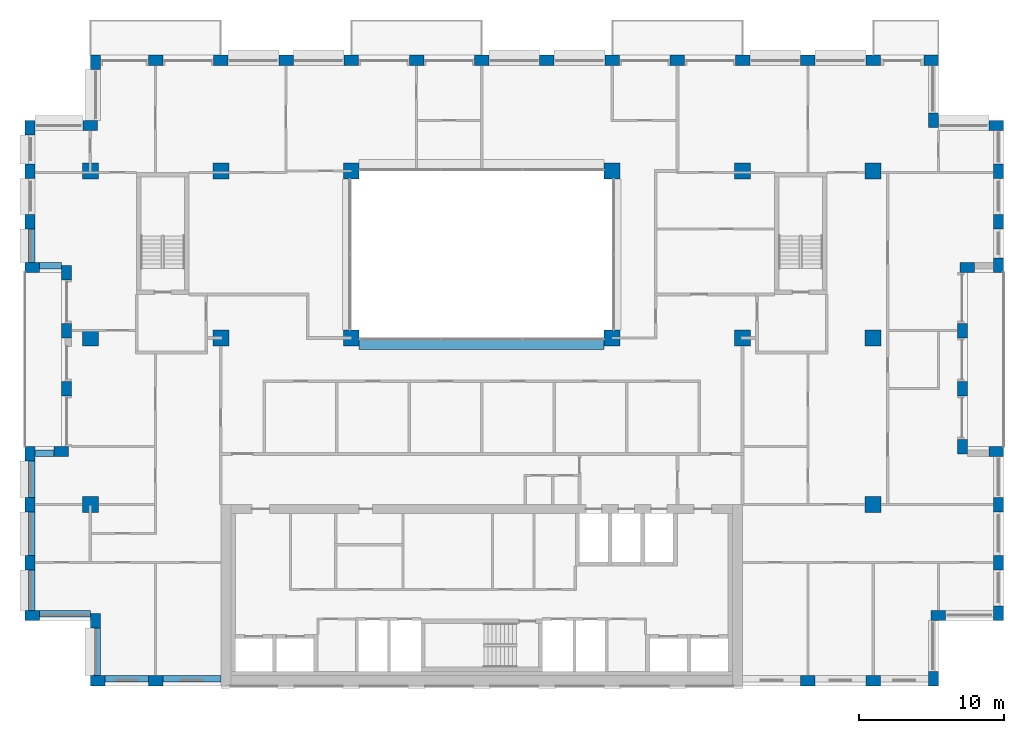
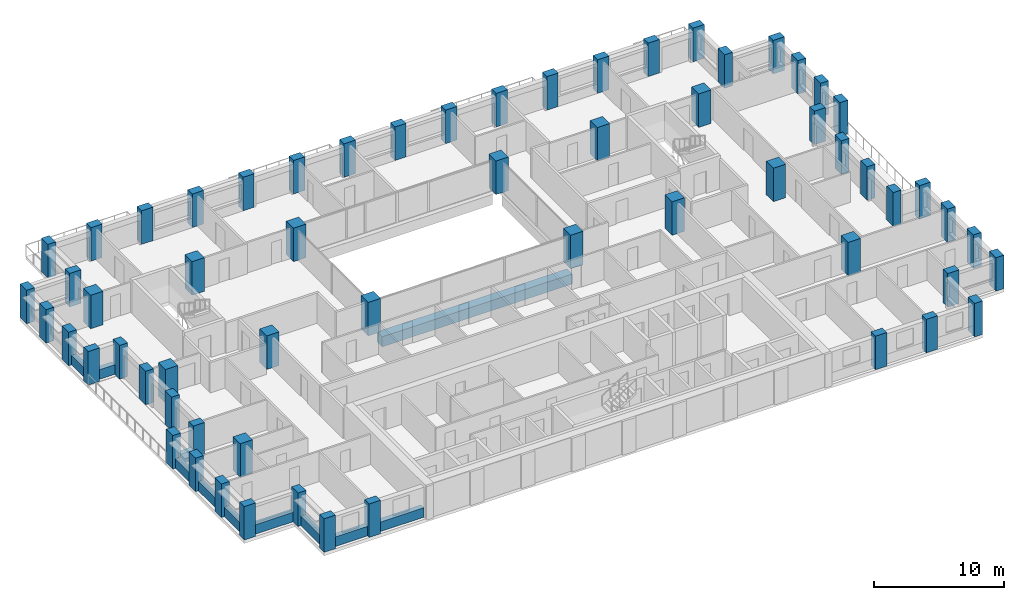
# One storey, part 1 of 16: 61 columns, 11 beams.
"""IFC4 building model written with IfcOpenShell, lengths in metres."""

from ifc_helpers import new_model, si_unit, direction, frame, origin, origin_2d, place, context, subcontext, project, spatial, rectangle, extrude, material, material_profile, profile_set, type_object, element, save


model = new_model("IFC4")

# Units and contexts
model_context = context("Model", 3, precision=1e-05, world=origin(), true_north=direction((0.0, 1.0)))
body_context = subcontext(model_context, "Body", "Model", "MODEL_VIEW")
ifc_project = project(units=[si_unit("LENGTHUNIT", "METRE"), si_unit("AREAUNIT", "SQUARE_METRE"), si_unit("VOLUMEUNIT", "CUBIC_METRE"), si_unit("PLANEANGLEUNIT", "RADIAN"), si_unit("MASSUNIT", "GRAM", prefix="KILO")], contexts=[model_context])

# Site, building, storey
site_placement = place(None, origin())
site = spatial("IfcSite", under=ifc_project, at=site_placement, CompositionType="ELEMENT")
building_placement = place(site_placement, origin())
building = spatial("IfcBuilding", under=site, at=building_placement, Name="Brigalow Station Residences", CompositionType="ELEMENT")
storey_placement = place(building_placement, frame((0.0, 0.0, 169.64990234375)))
storey = spatial("IfcBuildingStorey", under=building, at=storey_placement, Name="L49", CompositionType="ELEMENT", Elevation=169.64990234375)

# Columns
ifc_material_1 = material(Name="Concrete C65", Category="concrete")
ifc_material_profile_1 = material_profile(ifc_material_1, rectangle(XDim=1.10009765625, YDim=1.10009765625, at=origin_2d()), Name="RC1100x1100")
ifc_profile_set_1 = profile_set([ifc_material_profile_1], Name="Concrete C65")
column_type_1 = type_object("IfcColumnType", Name="COLUMN 1100x1100 C65", PredefinedType="COLUMN", material=ifc_profile_set_1)
for number, where, z_axis, x_axis, name in (
    (1, (9.0, 24.0, 0.0), (0.0, 0.0, 1.0), (1.0, 0.0, 0.0), "COLUMN C1 L49"),
    (2, (18.0, 24.0, 0.0), (0.0, 0.0, 1.0), (1.0, 0.0, 0.0), "COLUMN C2 L49"),
    (3, (27.0, 24.0, 0.0), (0.0, 0.0, 1.0), (1.0, 0.0, 0.0), "COLUMN C3 L49"),
    (4, (45.0, 24.0, 0.0), (0.0, 0.0, 1.0), (1.0, 0.0, 0.0), "COLUMN C5 L49"),
    (5, (54.0, 24.0, 0.0), (0.0, 0.0, 1.0), (1.0, 0.0, 0.0), "COLUMN C6 L49"),
    (6, (63.0, 24.0, 0.0), (0.0, 0.0, 1.0), (1.0, 0.0, 0.0), "COLUMN C7 L49"),
    (7, (9.0, 35.5, 0.0), (0.0, 0.0, 1.0), (1.0, 0.0, 0.0), "COLUMN D1 L49"),
    (8, (18.0, 35.5, 0.0), (0.0, 0.0, 1.0), (1.0, 0.0, 0.0), "COLUMN D2 L49"),
    (9, (27.0, 35.5, 0.0), (0.0, 0.0, 1.0), (1.0, 0.0, 0.0), "COLUMN D3 L49"),
    (10, (45.0, 35.5, 0.0), (0.0, 0.0, 1.0), (1.0, 0.0, 0.0), "COLUMN D5 L49"),
    (11, (54.0, 35.5, 0.0), (0.0, 0.0, 1.0), (1.0, 0.0, 0.0), "COLUMN D6 L49"),
    (12, (63.0, 35.5, 0.0), (0.0, 0.0, 1.0), (1.0, 0.0, 0.0), "COLUMN D7 L49"),
    (13, (9.0, 12.5, 0.0), (0.0, 0.0, 1.0), (1.0, 0.0, 0.0), "COLUMN B1 L49"),
    (14, (63.0, 12.5, 0.0), (0.0, 0.0, 1.0), (1.0, 0.0, 0.0), "COLUMN B7 L49"),
):
    element("IfcColumn", number, at=place(storey_placement, frame(where, z_axis=z_axis, x_axis=x_axis)), inside=storey, type_object=column_type_1, Name=name, PredefinedType="COLUMN", context=body_context, shape_type="SweptSolid", body=[
        extrude(rectangle(XDim=1.10009765625, YDim=1.10009765625, at=origin_2d()), origin(), (0.0, 0.0, 1.0), 3.150146484375),
    ])
ifc_material_2 = material(Name="Concrete C65", Category="concrete")
ifc_material_profile_2 = material_profile(ifc_material_2, rectangle(XDim=1.0, YDim=0.699951171875, at=origin_2d()), Name="RC1000x700")
ifc_profile_set_2 = profile_set([ifc_material_profile_2], Name="Concrete C65")
column_type_2 = type_object("IfcColumnType", Name="PIER 1000x700 C65", PredefinedType="USERDEFINED", material=ifc_profile_set_2)
for number, where, z_axis, x_axis, name in (
    (15, (9.5, 0.35009765625, 0.0), (0.0, 0.0, 1.0), (1.0, 0.0, 0.0), "PIER S-1 L49"),
    (16, (13.5, 0.35009765625, 0.0), (0.0, 0.0, 1.0), (1.0, 0.0, 0.0), "PIER S-2 L49"),
    (17, (58.5, 0.35009765625, 0.0), (0.0, 0.0, 1.0), (1.0, 0.0, 0.0), "PIER S-12 L49"),
    (18, (63.0, 0.35009765625, 0.0), (0.0, 0.0, 1.0), (1.0, 0.0, 0.0), "PIER S-13 L49"),
    (19, (67.14990234375, 0.5, 0.0), (0.0, 0.0, 1.0), (0.0, 1.0, 0.0), "PIER SE1-1 L49"),
    (20, (67.5, 4.85009765625, 0.0), (0.0, 0.0, 1.0), (1.0, 0.0, 0.0), "PIER SE2-1 L49"),
    (21, (71.64990234375, 5.0, 0.0), (0.0, 0.0, 1.0), (0.0, 1.0, 0.0), "PIER E1-1 L49"),
    (22, (71.64990234375, 8.5, 0.0), (0.0, 0.0, 1.0), (0.0, 1.0, 0.0), "PIER E1-2 L49"),
    (23, (71.64990234375, 12.5, 0.0), (0.0, 0.0, 1.0), (0.0, 1.0, 0.0), "PIER E1-3 L49"),
    (24, (71.5, 16.14990234375, 0.0), (0.0, 0.0, 1.0), (-1.0, 0.0, 0.0), "PIER EL1-1 L49"),
    (25, (69.14990234375, 16.5, 0.0), (0.0, 0.0, 1.0), (0.0, 1.0, 0.0), "PIER EL2-1 L49"),
    (26, (69.14990234375, 20.5, 0.0), (0.0, 0.0, 1.0), (0.0, 1.0, 0.0), "PIER EL2-2 L49"),
    (27, (69.14990234375, 24.5, 0.0), (0.0, 0.0, 1.0), (0.0, 1.0, 0.0), "PIER EL2-3 L49"),
    (28, (69.5, 28.85009765625, 0.0), (0.0, 0.0, 1.0), (1.0, 0.0, 0.0), "PIER EL3-1 L49"),
    (29, (71.64990234375, 29.0, 0.0), (0.0, 0.0, 1.0), (0.0, 1.0, 0.0), "PIER E2-1 L49"),
    (30, (71.64990234375, 32.0, 0.0), (0.0, 0.0, 1.0), (0.0, 1.0, 0.0), "PIER E2-2 L49"),
    (31, (71.64990234375, 35.5, 0.0), (0.0, 0.0, 1.0), (0.0, 1.0, 0.0), "PIER E2-3 L49"),
    (32, (71.5, 38.64990234375, 0.0), (0.0, 0.0, 1.0), (-1.0, 0.0, 0.0), "PIER NE1-1 L49"),
    (33, (67.14990234375, 39.0, 0.0), (0.0, 0.0, 1.0), (0.0, 1.0, 0.0), "PIER NE2-1 L49"),
    (34, (67.0, 43.14990234375, 0.0), (0.0, 0.0, 1.0), (-1.0, 0.0, 0.0), "PIER N-1 L49"),
    (35, (63.0, 43.14990234375, 0.0), (0.0, 0.0, 1.0), (-1.0, 0.0, 0.0), "PIER N-2 L49"),
    (36, (58.5, 43.14990234375, 0.0), (0.0, 0.0, 1.0), (-1.0, 0.0, 0.0), "PIER N-3 L49"),
    (37, (54.0, 43.14990234375, 0.0), (0.0, 0.0, 1.0), (-1.0, 0.0, 0.0), "PIER N-4 L49"),
    (38, (49.5, 43.14990234375, 0.0), (0.0, 0.0, 1.0), (-1.0, 0.0, 0.0), "PIER N-5 L49"),
    (39, (45.0, 43.14990234375, 0.0), (0.0, 0.0, 1.0), (-1.0, 0.0, 0.0), "PIER N-6 L49"),
    (40, (40.5, 43.14990234375, 0.0), (0.0, 0.0, 1.0), (-1.0, 0.0, 0.0), "PIER N-7 L49"),
    (41, (36.0, 43.14990234375, 0.0), (0.0, 0.0, 1.0), (-1.0, 0.0, 0.0), "PIER N-8 L49"),
    (42, (31.5, 43.14990234375, 0.0), (0.0, 0.0, 1.0), (-1.0, 0.0, 0.0), "PIER N-9 L49"),
    (43, (27.0, 43.14990234375, 0.0), (0.0, 0.0, 1.0), (-1.0, 0.0, 0.0), "PIER N-10 L49"),
    (44, (22.5, 43.14990234375, 0.0), (0.0, 0.0, 1.0), (-1.0, 0.0, 0.0), "PIER N-11 L49"),
    (45, (18.0, 43.14990234375, 0.0), (0.0, 0.0, 1.0), (-1.0, 0.0, 0.0), "PIER N-12 L49"),
    (46, (13.5, 43.14990234375, 0.0), (0.0, 0.0, 1.0), (-1.0, 0.0, 0.0), "PIER N-13 L49"),
    (47, (9.35009765625, 43.0, 0.0), (0.0, 0.0, 1.0), (0.0, -1.0, 0.0), "PIER NW1-1 L49"),
    (48, (9.0, 38.64990234375, 0.0), (0.0, 0.0, 1.0), (-1.0, 0.0, 0.0), "PIER NW2-1 L49"),
    (49, (4.85009765625, 38.5, 0.0), (0.0, 0.0, 1.0), (0.0, -1.0, 0.0), "PIER W2-1 L49"),
    (50, (4.85009765625, 35.5, 0.0), (0.0, 0.0, 1.0), (0.0, -1.0, 0.0), "PIER W2-2 L49"),
    (51, (4.85009765625, 32.0, 0.0), (0.0, 0.0, 1.0), (0.0, -1.0, 0.0), "PIER W2-3 L49"),
    (52, (5.0, 28.85009765625, 0.0), (0.0, 0.0, 1.0), (1.0, 0.0, 0.0), "PIER WL1-1 L49"),
    (53, (7.35009765625, 28.5, 0.0), (0.0, 0.0, 1.0), (0.0, -1.0, 0.0), "PIER WL2-1 L49"),
    (54, (7.35009765625, 24.5, 0.0), (0.0, 0.0, 1.0), (0.0, -1.0, 0.0), "PIER WL2-2 L49"),
    (55, (7.35009765625, 20.5, 0.0), (0.0, 0.0, 1.0), (0.0, -1.0, 0.0), "PIER WL2-3 L49"),
    (56, (7.0, 16.14990234375, 0.0), (0.0, 0.0, 1.0), (-1.0, 0.0, 0.0), "PIER WL3-1 L49"),
    (57, (4.85009765625, 16.0, 0.0), (0.0, 0.0, 1.0), (0.0, -1.0, 0.0), "PIER W1-1 L49"),
    (58, (4.85009765625, 12.5, 0.0), (0.0, 0.0, 1.0), (0.0, -1.0, 0.0), "PIER W1-2 L49"),
    (59, (4.85009765625, 8.5, 0.0), (0.0, 0.0, 1.0), (0.0, -1.0, 0.0), "PIER W1-3 L49"),
    (60, (5.0, 4.85009765625, 0.0), (0.0, 0.0, 1.0), (1.0, 0.0, 0.0), "PIER SW1-1 L49"),
    (61, (9.35009765625, 4.5, 0.0), (0.0, 0.0, 1.0), (0.0, -1.0, 0.0), "PIER SW2-1 L49"),
):
    element("IfcColumn", number, at=place(storey_placement, frame(where, z_axis=z_axis, x_axis=x_axis)), inside=storey, type_object=column_type_2, Name=name, ObjectType="PIER", PredefinedType="USERDEFINED", context=body_context, shape_type="SweptSolid", body=[
        extrude(rectangle(XDim=1.0, YDim=0.699951171875, at=origin_2d()), origin(), (0.0, 0.0, 1.0), 3.150146484375),
    ])

# Beams
ifc_material_3 = material(Name="Concrete C65", Category="concrete")
ifc_material_profile_3 = material_profile(ifc_material_3, rectangle(XDim=0.800048828125, YDim=0.949951171875, at=origin_2d()), Name="RC800x950")
ifc_profile_set_3 = profile_set([ifc_material_profile_3], Name="Concrete C65")
beam_type_1 = type_object("IfcBeamType", Name="ATRIUM EDGE GIRDER OVER 13.5 M SPAN 800x950 C65", PredefinedType="BEAM", material=ifc_profile_set_3)
beam_1_placement = place(storey_placement, frame((27.550048828125, 23.60009765625, -0.794921875), z_axis=(1.0, 0.0, 0.0), x_axis=(0.0, 1.0, 0.0)))
element("IfcBeam", 62, at=beam_1_placement, inside=storey, type_object=beam_type_1, Name="ATRIUM EDGE GIRDER C L49", PredefinedType="BEAM", context=body_context, shape_type="SweptSolid", body=[
    extrude(rectangle(XDim=0.800048828125, YDim=0.949951171875, at=origin_2d()), origin(), (0.0, 0.0, 1.0), 16.89990234375),
])
ifc_material_4 = material(Name="Concrete C50", Category="concrete")
ifc_material_profile_4 = material_profile(ifc_material_4, rectangle(XDim=0.449951171875, YDim=0.89990234375, at=origin_2d()), Name="RC450x900")
ifc_profile_set_4 = profile_set([ifc_material_profile_4], Name="Concrete C50")
beam_type_2 = type_object("IfcBeamType", Name="SPANDREL BEAM 450x900 C50", PredefinedType="SPANDREL", material=ifc_profile_set_4)
beam_2_placement = place(storey_placement, frame((10.0, 0.47509765625, 0.4501953125), z_axis=(1.0, 0.0, 0.0), x_axis=(0.0, 1.0, 0.0)))
element("IfcBeam", 63, at=beam_2_placement, inside=storey, type_object=beam_type_2, Name="L49/spandrel/W-L49-1", PredefinedType="SPANDREL", context=body_context, shape_type="SweptSolid", body=[
    extrude(rectangle(XDim=0.449951171875, YDim=0.89990234375, at=origin_2d()), origin(), (0.0, 0.0, 1.0), 3.0),
])
beam_3_placement = place(storey_placement, frame((14.0, 0.47509765625, 0.4501953125), z_axis=(1.0, 0.0, 0.0), x_axis=(0.0, 1.0, 0.0)))
element("IfcBeam", 64, at=beam_3_placement, inside=storey, type_object=beam_type_2, Name="L49/spandrel/W-L49-2", PredefinedType="SPANDREL", context=body_context, shape_type="SweptSolid", body=[
    extrude(rectangle(XDim=0.449951171875, YDim=0.89990234375, at=origin_2d()), origin(), (0.0, 0.0, 1.0), 4.0),
])
beam_4_placement = place(storey_placement, frame((4.97509765625, 31.5, 0.4501953125), z_axis=(0.0, -1.0, 0.0), x_axis=(1.0, 0.0, 0.0)))
element("IfcBeam", 65, at=beam_4_placement, inside=storey, type_object=beam_type_2, Name="L49/spandrel/W-L49-39", PredefinedType="SPANDREL", context=body_context, shape_type="SweptSolid", body=[
    extrude(rectangle(XDim=0.449951171875, YDim=0.89990234375, at=origin_2d()), origin(), (0.0, 0.0, 1.0), 2.300048828125),
])
beam_5_placement = place(storey_placement, frame((5.5, 28.97509765625, 0.4501953125), z_axis=(1.0, 0.0, 0.0), x_axis=(0.0, 1.0, 0.0)))
element("IfcBeam", 66, at=beam_5_placement, inside=storey, type_object=beam_type_2, Name="L49/spandrel/W-L49-40", PredefinedType="SPANDREL", context=body_context, shape_type="SweptSolid", body=[
    extrude(rectangle(XDim=0.449951171875, YDim=0.89990234375, at=origin_2d()), origin(), (0.0, 0.0, 1.0), 1.5),
])
beam_6_placement = place(storey_placement, frame((6.5, 16.02490234375, 0.4501953125), z_axis=(-1.0, 0.0, 0.0), x_axis=(0.0, -1.0, 0.0)))
element("IfcBeam", 67, at=beam_6_placement, inside=storey, type_object=beam_type_2, Name="L49/spandrel/W-L49-44", PredefinedType="SPANDREL", context=body_context, shape_type="SweptSolid", body=[
    extrude(rectangle(XDim=0.449951171875, YDim=0.89990234375, at=origin_2d()), origin(), (0.0, 0.0, 1.0), 1.300048828125),
])
beam_7_placement = place(storey_placement, frame((4.97509765625, 15.5, 0.4501953125), z_axis=(0.0, -1.0, 0.0), x_axis=(1.0, 0.0, 0.0)))
element("IfcBeam", 68, at=beam_7_placement, inside=storey, type_object=beam_type_2, Name="L49/spandrel/W-L49-45", PredefinedType="SPANDREL", context=body_context, shape_type="SweptSolid", body=[
    extrude(rectangle(XDim=0.449951171875, YDim=0.89990234375, at=origin_2d()), origin(), (0.0, 0.0, 1.0), 2.5),
])
beam_8_placement = place(storey_placement, frame((4.97509765625, 12.0, 0.4501953125), z_axis=(0.0, -1.0, 0.0), x_axis=(1.0, 0.0, 0.0)))
element("IfcBeam", 69, at=beam_8_placement, inside=storey, type_object=beam_type_2, Name="L49/spandrel/W-L49-46", PredefinedType="SPANDREL", context=body_context, shape_type="SweptSolid", body=[
    extrude(rectangle(XDim=0.449951171875, YDim=0.89990234375, at=origin_2d()), origin(), (0.0, 0.0, 1.0), 3.0),
])
beam_9_placement = place(storey_placement, frame((4.97509765625, 8.0, 0.4501953125), z_axis=(0.0, -1.0, 0.0), x_axis=(1.0, 0.0, 0.0)))
element("IfcBeam", 70, at=beam_9_placement, inside=storey, type_object=beam_type_2, Name="L49/spandrel/W-L49-47", PredefinedType="SPANDREL", context=body_context, shape_type="SweptSolid", body=[
    extrude(rectangle(XDim=0.449951171875, YDim=0.89990234375, at=origin_2d()), origin(), (0.0, 0.0, 1.0), 2.800048828125),
])
beam_10_placement = place(storey_placement, frame((5.5, 4.97509765625, 0.4501953125), z_axis=(1.0, 0.0, 0.0), x_axis=(0.0, 1.0, 0.0)))
element("IfcBeam", 71, at=beam_10_placement, inside=storey, type_object=beam_type_2, Name="L49/spandrel/W-L49-48", PredefinedType="SPANDREL", context=body_context, shape_type="SweptSolid", body=[
    extrude(rectangle(XDim=0.449951171875, YDim=0.89990234375, at=origin_2d()), origin(), (0.0, 0.0, 1.0), 3.5),
])
beam_11_placement = place(storey_placement, frame((9.47509765625, 4.0, 0.4501953125), z_axis=(0.0, -1.0, 0.0), x_axis=(1.0, 0.0, 0.0)))
element("IfcBeam", 72, at=beam_11_placement, inside=storey, type_object=beam_type_2, Name="L49/spandrel/W-L49-49", PredefinedType="SPANDREL", context=body_context, shape_type="SweptSolid", body=[
    extrude(rectangle(XDim=0.449951171875, YDim=0.89990234375, at=origin_2d()), origin(), (0.0, 0.0, 1.0), 3.300048828125),
])

save(model, "model.ifc")
